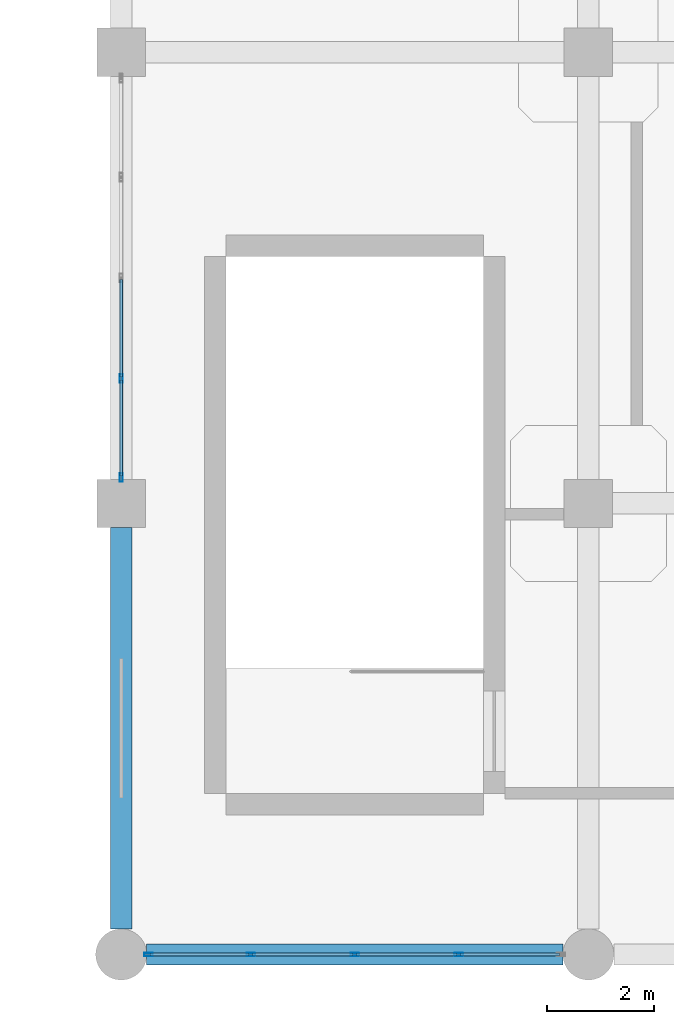
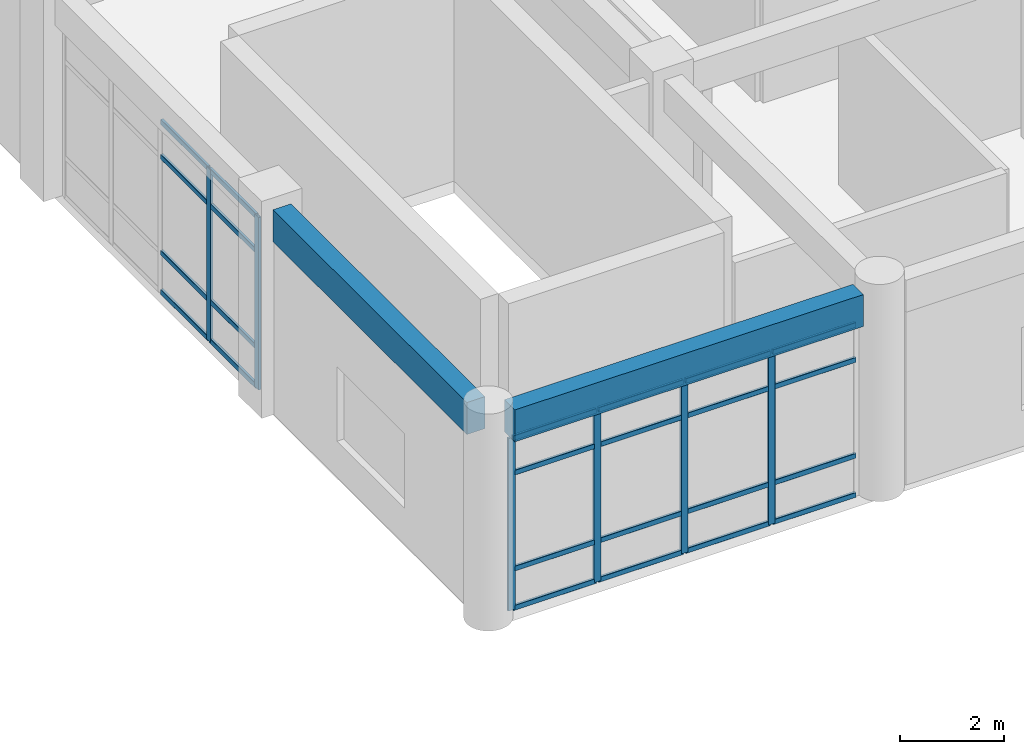
# One storey, part 28 of 120: 30 members, 2 beams, 2 elements without a shape of their own.
"""IFC4 building model written with IfcOpenShell, lengths in metres."""

from ifc_helpers import new_model, si_unit, derived_unit, direction, frame, origin, origin_2d, place, context, subcontext, project, spatial, rectangle, hollow_rectangle, extrude, material, layer, layer_set, material_profile, profile_set, type_object, element, aggregate, save


model = new_model("IFC4")

# Units and contexts
model_context = context("Model", 3, precision=1e-05, world=origin(), true_north=direction((0.0, 1.0)))
body_context = subcontext(model_context, "Body", "Model", "MODEL_VIEW")
ifc_project = project(units=[si_unit("LENGTHUNIT", "METRE"), si_unit("AREAUNIT", "SQUARE_METRE"), si_unit("VOLUMEUNIT", "CUBIC_METRE"), si_unit("PLANEANGLEUNIT", "RADIAN"), si_unit("MASSUNIT", "GRAM", prefix="KILO"), derived_unit("THERMALTRANSMITTANCEUNIT", [(si_unit("MASSUNIT", "GRAM", prefix="KILO"), 1), (si_unit("TIMEUNIT", "SECOND"), -3), (si_unit("THERMODYNAMICTEMPERATUREUNIT", "KELVIN"), -1)])], contexts=[model_context])

# Site, building, storey
site_placement = place(None, origin())
site = spatial("IfcSite", under=ifc_project, at=site_placement, CompositionType="ELEMENT")
building_placement = place(site_placement, origin())
building = spatial("IfcBuilding", under=site, at=building_placement, Name="Qinzheling Arcade Emporium", CompositionType="ELEMENT")
storey_placement = place(building_placement, frame((0.0, 0.0, 11.39990234375)))
storey = spatial("IfcBuildingStorey", under=building, at=storey_placement, Name="L03", CompositionType="ELEMENT", Elevation=11.39990234375)

# Curtain wall, members
ifc_material_1 = material(Name="Anodised aluminium and solar-control double glazing", Category="aluminium")
ifc_layer = layer(ifc_material_1, 0.159912109375, Name="Anodised aluminium and solar-control double glazing", Category="aluminium")
ifc_layer_set = layer_set([ifc_layer], Name="Anodised aluminium and solar-control double glazing")
curtain_wall_type = type_object("IfcCurtainWallType", Name="Arcade Portal Glazed Curtain Wall", PredefinedType="NOTDEFINED", material=ifc_layer_set)
curtain_wall_1_placement = place(storey_placement, origin())
curtain_wall_1 = element("IfcCurtainWall", 1, at=curtain_wall_1_placement, inside=storey, type_object=curtain_wall_type, Name="Curtain Wall CW-L03-139", PredefinedType="NOTDEFINED")
ifc_material_2 = material(Name="Anodised aluminium 6063-T6", Category="aluminium")
ifc_material_profile_1 = material_profile(ifc_material_2, hollow_rectangle(XDim=0.06005859375, YDim=0.159912109375, WallThickness=0.00390625, InnerFilletRadius=0.00390625, OuterFilletRadius=0.008056640625, at=origin_2d()), Name="RHS 160x60x4", Category="aluminium")
ifc_profile_set_1 = profile_set([ifc_material_profile_1], Name="Anodised aluminium 6063-T6")
member_type_1 = type_object("IfcMemberType", Name="Curtain Wall Mullion RHS160x60", PredefinedType="MULLION", material=ifc_profile_set_1)
member_1_placement = place(storey_placement, frame((110.6865234375, 0.0, 0.0), z_axis=(0.0, 0.0, 1.0), x_axis=(0.0, -1.0, 0.0)))
member_1 = element("IfcMember", 2, at=member_1_placement, type_object=member_type_1, Name="CW05 mullion 2", PredefinedType="MULLION", context=body_context, shape_type="SweptSolid", body=[
    extrude(hollow_rectangle(XDim=0.06005859375, YDim=0.159912109375, WallThickness=0.00390625, InnerFilletRadius=0.00390625, OuterFilletRadius=0.008056640625, at=origin_2d()), origin(), (0.0, 0.0, 1.0), 4.05517578125),
])
member_2_placement = place(storey_placement, frame((108.75, 0.0, 0.0), z_axis=(0.0, 0.0, 1.0), x_axis=(0.0, -1.0, 0.0)))
member_2 = element("IfcMember", 3, at=member_2_placement, type_object=member_type_1, Name="CW05 mullion 3", PredefinedType="MULLION", context=body_context, shape_type="SweptSolid", body=[
    extrude(hollow_rectangle(XDim=0.06005859375, YDim=0.159912109375, WallThickness=0.00390625, InnerFilletRadius=0.00390625, OuterFilletRadius=0.008056640625, at=origin_2d()), origin(), (0.0, 0.0, 1.0), 4.05517578125),
])
member_3_placement = place(storey_placement, frame((106.8134765625, 0.0, 0.0), z_axis=(0.0, 0.0, 1.0), x_axis=(0.0, -1.0, 0.0)))
member_3 = element("IfcMember", 4, at=member_3_placement, type_object=member_type_1, Name="CW05 mullion 4", PredefinedType="MULLION", context=body_context, shape_type="SweptSolid", body=[
    extrude(hollow_rectangle(XDim=0.06005859375, YDim=0.159912109375, WallThickness=0.00390625, InnerFilletRadius=0.00390625, OuterFilletRadius=0.008056640625, at=origin_2d()), origin(), (0.0, 0.0, 1.0), 4.05517578125),
])
member_4_placement = place(storey_placement, frame((104.906982421875, 0.0, 0.0), z_axis=(0.0, 0.0, 1.0), x_axis=(0.0, -1.0, 0.0)))
member_4 = element("IfcMember", 5, at=member_4_placement, type_object=member_type_1, Name="CW05 mullion 5", PredefinedType="MULLION", context=body_context, shape_type="SweptSolid", body=[
    extrude(hollow_rectangle(XDim=0.06005859375, YDim=0.159912109375, WallThickness=0.00390625, InnerFilletRadius=0.00390625, OuterFilletRadius=0.008056640625, at=origin_2d()), origin(), (0.0, 0.0, 1.0), 4.05517578125),
])

curtain_wall_2_placement = place(storey_placement, origin())
curtain_wall_2 = element("IfcCurtainWall", 6, at=curtain_wall_2_placement, inside=storey, type_object=curtain_wall_type, Name="Curtain Wall CW-L03-140", PredefinedType="NOTDEFINED")
member_5_placement = place(storey_placement, frame((104.39990234375, 8.882080078125, 0.0), z_axis=(0.0, 0.0, 1.0), x_axis=(-1.0, 0.0, 0.0)))
member_5 = element("IfcMember", 7, at=member_5_placement, type_object=member_type_1, Name="CW05 mullion 1", PredefinedType="MULLION", context=body_context, shape_type="SweptSolid", body=[
    extrude(hollow_rectangle(XDim=0.06005859375, YDim=0.159912109375, WallThickness=0.00390625, InnerFilletRadius=0.00390625, OuterFilletRadius=0.008056640625, at=origin_2d()), origin(), (0.0, 0.0, 1.0), 4.05517578125),
])
member_6_placement = place(storey_placement, frame((104.39990234375, 10.72607421875, 0.0), z_axis=(0.0, 0.0, 1.0), x_axis=(-1.0, 0.0, 0.0)))
member_6 = element("IfcMember", 8, at=member_6_placement, type_object=member_type_1, Name="CW05 mullion 2", PredefinedType="MULLION", context=body_context, shape_type="SweptSolid", body=[
    extrude(hollow_rectangle(XDim=0.06005859375, YDim=0.159912109375, WallThickness=0.00390625, InnerFilletRadius=0.00390625, OuterFilletRadius=0.008056640625, at=origin_2d()), origin(), (0.0, 0.0, 1.0), 4.05517578125),
])

# Member
ifc_material_profile_2 = material_profile(ifc_material_2, hollow_rectangle(XDim=0.06005859375, YDim=0.1201171875, WallThickness=0.00390625, InnerFilletRadius=0.00390625, OuterFilletRadius=0.008056640625, at=origin_2d()), Name="RHS 120x60x4", Category="aluminium")
ifc_profile_set_2 = profile_set([ifc_material_profile_2], Name="Anodised aluminium 6063-T6")
member_type_2 = type_object("IfcMemberType", Name="Curtain Wall Transom RHS120x60", PredefinedType="USERDEFINED", material=ifc_profile_set_2)
member_7_placement = place(storey_placement, frame((112.56298828125, 0.0, 0.030029296875), z_axis=(-1.0, 0.0, 0.0), x_axis=(0.0, -1.0, 0.0)))
member_7 = element("IfcMember", 9, at=member_7_placement, type_object=member_type_2, Name="CW05 transom 1.1", ObjectType="TRANSOM", PredefinedType="USERDEFINED", context=body_context, shape_type="SweptSolid", body=[
    extrude(hollow_rectangle(XDim=0.06005859375, YDim=0.1201171875, WallThickness=0.00390625, InnerFilletRadius=0.00390625, OuterFilletRadius=0.008056640625, at=origin_2d()), origin(), (0.0, 0.0, 1.0), 1.846435546875),
])

member_8_placement = place(storey_placement, frame((112.56298828125, 0.0, 0.9501953125), z_axis=(-1.0, 0.0, 0.0), x_axis=(0.0, -1.0, 0.0)))
member_8 = element("IfcMember", 10, at=member_8_placement, type_object=member_type_2, Name="CW05 transom 1.2", ObjectType="TRANSOM", PredefinedType="USERDEFINED", context=body_context, shape_type="SweptSolid", body=[
    extrude(hollow_rectangle(XDim=0.06005859375, YDim=0.1201171875, WallThickness=0.00390625, InnerFilletRadius=0.00390625, OuterFilletRadius=0.008056640625, at=origin_2d()), origin(), (0.0, 0.0, 1.0), 1.846435546875),
])

member_9_placement = place(storey_placement, frame((112.56298828125, 0.0, 3.205078125), z_axis=(-1.0, 0.0, 0.0), x_axis=(0.0, -1.0, 0.0)))
member_9 = element("IfcMember", 11, at=member_9_placement, type_object=member_type_2, Name="CW05 transom 1.3", ObjectType="TRANSOM", PredefinedType="USERDEFINED", context=body_context, shape_type="SweptSolid", body=[
    extrude(hollow_rectangle(XDim=0.06005859375, YDim=0.1201171875, WallThickness=0.00390625, InnerFilletRadius=0.00390625, OuterFilletRadius=0.008056640625, at=origin_2d()), origin(), (0.0, 0.0, 1.0), 1.846435546875),
])

member_10_placement = place(storey_placement, frame((112.56298828125, 0.0, 4.025146484375), z_axis=(-1.0, 0.0, 0.0), x_axis=(0.0, -1.0, 0.0)))
member_10 = element("IfcMember", 12, at=member_10_placement, type_object=member_type_2, Name="CW05 transom 1.4", ObjectType="TRANSOM", PredefinedType="USERDEFINED", context=body_context, shape_type="SweptSolid", body=[
    extrude(hollow_rectangle(XDim=0.06005859375, YDim=0.1201171875, WallThickness=0.00390625, InnerFilletRadius=0.00390625, OuterFilletRadius=0.008056640625, at=origin_2d()), origin(), (0.0, 0.0, 1.0), 1.846435546875),
])

member_11_placement = place(storey_placement, frame((110.656494140625, 0.0, 0.030029296875), z_axis=(-1.0, 0.0, 0.0), x_axis=(0.0, -1.0, 0.0)))
member_11 = element("IfcMember", 13, at=member_11_placement, type_object=member_type_2, Name="CW05 transom 2.1", ObjectType="TRANSOM", PredefinedType="USERDEFINED", context=body_context, shape_type="SweptSolid", body=[
    extrude(hollow_rectangle(XDim=0.06005859375, YDim=0.1201171875, WallThickness=0.00390625, InnerFilletRadius=0.00390625, OuterFilletRadius=0.008056640625, at=origin_2d()), origin(), (0.0, 0.0, 1.0), 1.87646484375),
])

member_12_placement = place(storey_placement, frame((110.656494140625, 0.0, 0.9501953125), z_axis=(-1.0, 0.0, 0.0), x_axis=(0.0, -1.0, 0.0)))
member_12 = element("IfcMember", 14, at=member_12_placement, type_object=member_type_2, Name="CW05 transom 2.2", ObjectType="TRANSOM", PredefinedType="USERDEFINED", context=body_context, shape_type="SweptSolid", body=[
    extrude(hollow_rectangle(XDim=0.06005859375, YDim=0.1201171875, WallThickness=0.00390625, InnerFilletRadius=0.00390625, OuterFilletRadius=0.008056640625, at=origin_2d()), origin(), (0.0, 0.0, 1.0), 1.87646484375),
])

member_13_placement = place(storey_placement, frame((110.656494140625, 0.0, 3.205078125), z_axis=(-1.0, 0.0, 0.0), x_axis=(0.0, -1.0, 0.0)))
member_13 = element("IfcMember", 15, at=member_13_placement, type_object=member_type_2, Name="CW05 transom 2.3", ObjectType="TRANSOM", PredefinedType="USERDEFINED", context=body_context, shape_type="SweptSolid", body=[
    extrude(hollow_rectangle(XDim=0.06005859375, YDim=0.1201171875, WallThickness=0.00390625, InnerFilletRadius=0.00390625, OuterFilletRadius=0.008056640625, at=origin_2d()), origin(), (0.0, 0.0, 1.0), 1.87646484375),
])

member_14_placement = place(storey_placement, frame((110.656494140625, 0.0, 4.025146484375), z_axis=(-1.0, 0.0, 0.0), x_axis=(0.0, -1.0, 0.0)))
member_14 = element("IfcMember", 16, at=member_14_placement, type_object=member_type_2, Name="CW05 transom 2.4", ObjectType="TRANSOM", PredefinedType="USERDEFINED", context=body_context, shape_type="SweptSolid", body=[
    extrude(hollow_rectangle(XDim=0.06005859375, YDim=0.1201171875, WallThickness=0.00390625, InnerFilletRadius=0.00390625, OuterFilletRadius=0.008056640625, at=origin_2d()), origin(), (0.0, 0.0, 1.0), 1.87646484375),
])

member_15_placement = place(storey_placement, frame((108.719970703125, 0.0, 0.030029296875), z_axis=(-1.0, 0.0, 0.0), x_axis=(0.0, -1.0, 0.0)))
member_15 = element("IfcMember", 17, at=member_15_placement, type_object=member_type_2, Name="CW05 transom 3.1", ObjectType="TRANSOM", PredefinedType="USERDEFINED", context=body_context, shape_type="SweptSolid", body=[
    extrude(hollow_rectangle(XDim=0.06005859375, YDim=0.1201171875, WallThickness=0.00390625, InnerFilletRadius=0.00390625, OuterFilletRadius=0.008056640625, at=origin_2d()), origin(), (0.0, 0.0, 1.0), 1.87646484375),
])

member_16_placement = place(storey_placement, frame((108.719970703125, 0.0, 0.9501953125), z_axis=(-1.0, 0.0, 0.0), x_axis=(0.0, -1.0, 0.0)))
member_16 = element("IfcMember", 18, at=member_16_placement, type_object=member_type_2, Name="CW05 transom 3.2", ObjectType="TRANSOM", PredefinedType="USERDEFINED", context=body_context, shape_type="SweptSolid", body=[
    extrude(hollow_rectangle(XDim=0.06005859375, YDim=0.1201171875, WallThickness=0.00390625, InnerFilletRadius=0.00390625, OuterFilletRadius=0.008056640625, at=origin_2d()), origin(), (0.0, 0.0, 1.0), 1.87646484375),
])

member_17_placement = place(storey_placement, frame((108.719970703125, 0.0, 3.205078125), z_axis=(-1.0, 0.0, 0.0), x_axis=(0.0, -1.0, 0.0)))
member_17 = element("IfcMember", 19, at=member_17_placement, type_object=member_type_2, Name="CW05 transom 3.3", ObjectType="TRANSOM", PredefinedType="USERDEFINED", context=body_context, shape_type="SweptSolid", body=[
    extrude(hollow_rectangle(XDim=0.06005859375, YDim=0.1201171875, WallThickness=0.00390625, InnerFilletRadius=0.00390625, OuterFilletRadius=0.008056640625, at=origin_2d()), origin(), (0.0, 0.0, 1.0), 1.87646484375),
])

member_18_placement = place(storey_placement, frame((108.719970703125, 0.0, 4.025146484375), z_axis=(-1.0, 0.0, 0.0), x_axis=(0.0, -1.0, 0.0)))
member_18 = element("IfcMember", 20, at=member_18_placement, type_object=member_type_2, Name="CW05 transom 3.4", ObjectType="TRANSOM", PredefinedType="USERDEFINED", context=body_context, shape_type="SweptSolid", body=[
    extrude(hollow_rectangle(XDim=0.06005859375, YDim=0.1201171875, WallThickness=0.00390625, InnerFilletRadius=0.00390625, OuterFilletRadius=0.008056640625, at=origin_2d()), origin(), (0.0, 0.0, 1.0), 1.87646484375),
])

member_19_placement = place(storey_placement, frame((106.783447265625, 0.0, 0.030029296875), z_axis=(-1.0, 0.0, 0.0), x_axis=(0.0, -1.0, 0.0)))
member_19 = element("IfcMember", 21, at=member_19_placement, type_object=member_type_2, Name="CW05 transom 4.1", ObjectType="TRANSOM", PredefinedType="USERDEFINED", context=body_context, shape_type="SweptSolid", body=[
    extrude(hollow_rectangle(XDim=0.06005859375, YDim=0.1201171875, WallThickness=0.00390625, InnerFilletRadius=0.00390625, OuterFilletRadius=0.008056640625, at=origin_2d()), origin(), (0.0, 0.0, 1.0), 1.846435546875),
])

member_20_placement = place(storey_placement, frame((106.783447265625, 0.0, 0.9501953125), z_axis=(-1.0, 0.0, 0.0), x_axis=(0.0, -1.0, 0.0)))
member_20 = element("IfcMember", 22, at=member_20_placement, type_object=member_type_2, Name="CW05 transom 4.2", ObjectType="TRANSOM", PredefinedType="USERDEFINED", context=body_context, shape_type="SweptSolid", body=[
    extrude(hollow_rectangle(XDim=0.06005859375, YDim=0.1201171875, WallThickness=0.00390625, InnerFilletRadius=0.00390625, OuterFilletRadius=0.008056640625, at=origin_2d()), origin(), (0.0, 0.0, 1.0), 1.846435546875),
])

member_21_placement = place(storey_placement, frame((106.783447265625, 0.0, 3.205078125), z_axis=(-1.0, 0.0, 0.0), x_axis=(0.0, -1.0, 0.0)))
member_21 = element("IfcMember", 23, at=member_21_placement, type_object=member_type_2, Name="CW05 transom 4.3", ObjectType="TRANSOM", PredefinedType="USERDEFINED", context=body_context, shape_type="SweptSolid", body=[
    extrude(hollow_rectangle(XDim=0.06005859375, YDim=0.1201171875, WallThickness=0.00390625, InnerFilletRadius=0.00390625, OuterFilletRadius=0.008056640625, at=origin_2d()), origin(), (0.0, 0.0, 1.0), 1.846435546875),
])

member_22_placement = place(storey_placement, frame((106.783447265625, 0.0, 4.025146484375), z_axis=(-1.0, 0.0, 0.0), x_axis=(0.0, -1.0, 0.0)))
member_22 = element("IfcMember", 24, at=member_22_placement, type_object=member_type_2, Name="CW05 transom 4.4", ObjectType="TRANSOM", PredefinedType="USERDEFINED", context=body_context, shape_type="SweptSolid", body=[
    extrude(hollow_rectangle(XDim=0.06005859375, YDim=0.1201171875, WallThickness=0.00390625, InnerFilletRadius=0.00390625, OuterFilletRadius=0.008056640625, at=origin_2d()), origin(), (0.0, 0.0, 1.0), 1.846435546875),
])

aggregate(curtain_wall_1, [member_1, member_2, member_3, member_4, member_7, member_8, member_9, member_10, member_11, member_12, member_13, member_14, member_15, member_16, member_17, member_18, member_19, member_20, member_21, member_22])

member_23_placement = place(storey_placement, frame((104.39990234375, 8.912109375, 0.030029296875), z_axis=(0.0, 1.0, 0.0), x_axis=(-1.0, 0.0, 0.0)))
member_23 = element("IfcMember", 25, at=member_23_placement, type_object=member_type_2, Name="CW05 transom 1.1", ObjectType="TRANSOM", PredefinedType="USERDEFINED", context=body_context, shape_type="SweptSolid", body=[
    extrude(hollow_rectangle(XDim=0.06005859375, YDim=0.1201171875, WallThickness=0.00390625, InnerFilletRadius=0.00390625, OuterFilletRadius=0.008056640625, at=origin_2d()), origin(), (0.0, 0.0, 1.0), 1.783935546875),
])

member_24_placement = place(storey_placement, frame((104.39990234375, 8.912109375, 0.9501953125), z_axis=(0.0, 1.0, 0.0), x_axis=(-1.0, 0.0, 0.0)))
member_24 = element("IfcMember", 26, at=member_24_placement, type_object=member_type_2, Name="CW05 transom 1.2", ObjectType="TRANSOM", PredefinedType="USERDEFINED", context=body_context, shape_type="SweptSolid", body=[
    extrude(hollow_rectangle(XDim=0.06005859375, YDim=0.1201171875, WallThickness=0.00390625, InnerFilletRadius=0.00390625, OuterFilletRadius=0.008056640625, at=origin_2d()), origin(), (0.0, 0.0, 1.0), 1.783935546875),
])

member_25_placement = place(storey_placement, frame((104.39990234375, 8.912109375, 3.205078125), z_axis=(0.0, 1.0, 0.0), x_axis=(-1.0, 0.0, 0.0)))
member_25 = element("IfcMember", 27, at=member_25_placement, type_object=member_type_2, Name="CW05 transom 1.3", ObjectType="TRANSOM", PredefinedType="USERDEFINED", context=body_context, shape_type="SweptSolid", body=[
    extrude(hollow_rectangle(XDim=0.06005859375, YDim=0.1201171875, WallThickness=0.00390625, InnerFilletRadius=0.00390625, OuterFilletRadius=0.008056640625, at=origin_2d()), origin(), (0.0, 0.0, 1.0), 1.783935546875),
])

member_26_placement = place(storey_placement, frame((104.39990234375, 8.912109375, 4.025146484375), z_axis=(0.0, 1.0, 0.0), x_axis=(-1.0, 0.0, 0.0)))
member_26 = element("IfcMember", 28, at=member_26_placement, type_object=member_type_2, Name="CW05 transom 1.4", ObjectType="TRANSOM", PredefinedType="USERDEFINED", context=body_context, shape_type="SweptSolid", body=[
    extrude(hollow_rectangle(XDim=0.06005859375, YDim=0.1201171875, WallThickness=0.00390625, InnerFilletRadius=0.00390625, OuterFilletRadius=0.008056640625, at=origin_2d()), origin(), (0.0, 0.0, 1.0), 1.783935546875),
])

member_27_placement = place(storey_placement, frame((104.39990234375, 10.756103515625, 0.030029296875), z_axis=(0.0, 1.0, 0.0), x_axis=(-1.0, 0.0, 0.0)))
member_27 = element("IfcMember", 29, at=member_27_placement, type_object=member_type_2, Name="CW05 transom 2.1", ObjectType="TRANSOM", PredefinedType="USERDEFINED", context=body_context, shape_type="SweptSolid", body=[
    extrude(hollow_rectangle(XDim=0.06005859375, YDim=0.1201171875, WallThickness=0.00390625, InnerFilletRadius=0.00390625, OuterFilletRadius=0.008056640625, at=origin_2d()), origin(), (0.0, 0.0, 1.0), 1.81396484375),
])

member_28_placement = place(storey_placement, frame((104.39990234375, 10.756103515625, 0.9501953125), z_axis=(0.0, 1.0, 0.0), x_axis=(-1.0, 0.0, 0.0)))
member_28 = element("IfcMember", 30, at=member_28_placement, type_object=member_type_2, Name="CW05 transom 2.2", ObjectType="TRANSOM", PredefinedType="USERDEFINED", context=body_context, shape_type="SweptSolid", body=[
    extrude(hollow_rectangle(XDim=0.06005859375, YDim=0.1201171875, WallThickness=0.00390625, InnerFilletRadius=0.00390625, OuterFilletRadius=0.008056640625, at=origin_2d()), origin(), (0.0, 0.0, 1.0), 1.81396484375),
])

member_29_placement = place(storey_placement, frame((104.39990234375, 10.756103515625, 3.205078125), z_axis=(0.0, 1.0, 0.0), x_axis=(-1.0, 0.0, 0.0)))
member_29 = element("IfcMember", 31, at=member_29_placement, type_object=member_type_2, Name="CW05 transom 2.3", ObjectType="TRANSOM", PredefinedType="USERDEFINED", context=body_context, shape_type="SweptSolid", body=[
    extrude(hollow_rectangle(XDim=0.06005859375, YDim=0.1201171875, WallThickness=0.00390625, InnerFilletRadius=0.00390625, OuterFilletRadius=0.008056640625, at=origin_2d()), origin(), (0.0, 0.0, 1.0), 1.81396484375),
])

member_30_placement = place(storey_placement, frame((104.39990234375, 10.756103515625, 4.025146484375), z_axis=(0.0, 1.0, 0.0), x_axis=(-1.0, 0.0, 0.0)))
member_30 = element("IfcMember", 32, at=member_30_placement, type_object=member_type_2, Name="CW05 transom 2.4", ObjectType="TRANSOM", PredefinedType="USERDEFINED", context=body_context, shape_type="SweptSolid", body=[
    extrude(hollow_rectangle(XDim=0.06005859375, YDim=0.1201171875, WallThickness=0.00390625, InnerFilletRadius=0.00390625, OuterFilletRadius=0.008056640625, at=origin_2d()), origin(), (0.0, 0.0, 1.0), 1.81396484375),
])

aggregate(curtain_wall_2, [member_5, member_6, member_23, member_24, member_25, member_26, member_27, member_28, member_29, member_30])

# Beams
ifc_material_3 = material(Name="Concrete C40", Category="concrete")
ifc_material_profile_3 = material_profile(ifc_material_3, rectangle(XDim=0.39990234375, YDim=0.75, at=origin_2d()), Name="RC 400x750", Category="concrete")
ifc_profile_set_3 = profile_set([ifc_material_profile_3], Name="Concrete C40")
beam_type = type_object("IfcBeamType", Name="RC Interior Tie Beam 400x750 C40", PredefinedType="BEAM", material=ifc_profile_set_3)
beam_1_placement = place(storey_placement, frame((104.875, 0.0, 4.445068359375), z_axis=(1.0, 0.0, 0.0), x_axis=(0.0, 1.0, 0.0)))
element("IfcBeam", 33, at=beam_1_placement, inside=storey, type_object=beam_type, Name="Beam BM-L03-X-A-13", PredefinedType="BEAM", context=body_context, shape_type="SweptSolid", body=[
    extrude(rectangle(XDim=0.39990234375, YDim=0.75, at=origin_2d()), origin(), (0.0, 0.0, 1.0), 7.75),
])
beam_2_placement = place(storey_placement, frame((104.39990234375, 0.47509765625, 4.445068359375), z_axis=(0.0, 1.0, 0.0), x_axis=(-1.0, 0.0, 0.0)))
element("IfcBeam", 34, at=beam_2_placement, inside=storey, type_object=beam_type, Name="Beam BM-L03-Y-13-A", PredefinedType="BEAM", context=body_context, shape_type="SweptSolid", body=[
    extrude(rectangle(XDim=0.39990234375, YDim=0.75, at=origin_2d()), origin(), (0.0, 0.0, 1.0), 7.474853515625),
])

save(model, "model.ifc")
